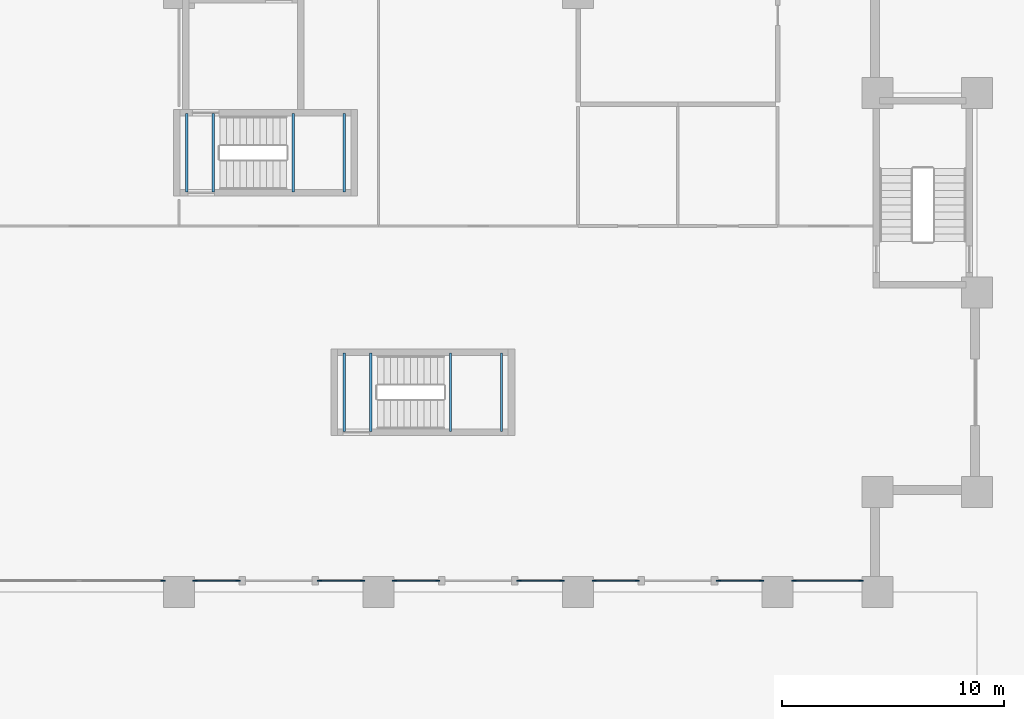
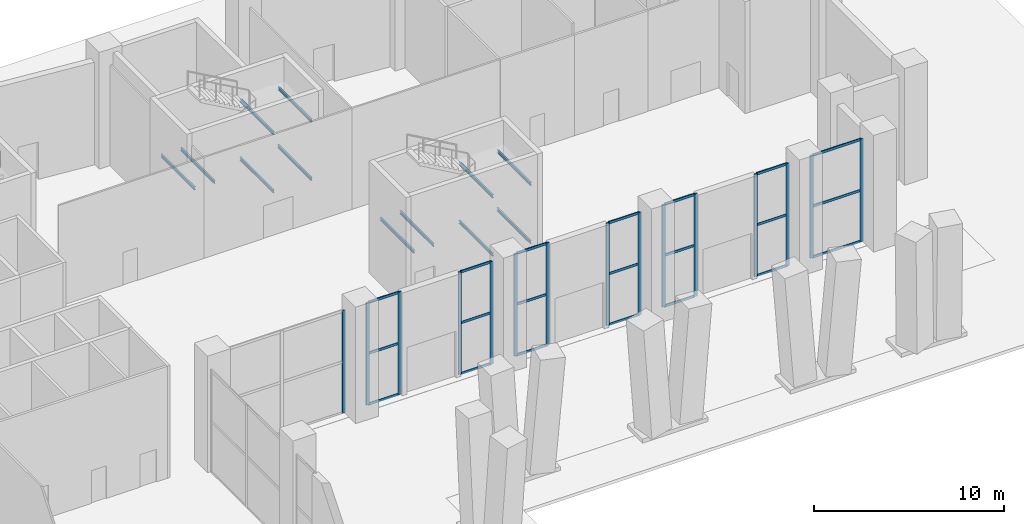
# One storey, part 4 of 16: 36 members, 12 beams, 8 elements without a shape of their own.
"""IFC4 building model written with IfcOpenShell, lengths in metres."""

from ifc_helpers import new_model, si_unit, direction, frame, origin, origin_2d, place, context, subcontext, project, spatial, rectangle, i_section, extrude, material, material_profile, profile_set, type_object, element, aggregate, save


model = new_model("IFC4")

# Units and contexts
model_context = context("Model", 3, precision=1e-05, world=origin(), true_north=direction((0.0, 1.0)))
body_context = subcontext(model_context, "Body", "Model", "MODEL_VIEW")
ifc_project = project(units=[si_unit("LENGTHUNIT", "METRE"), si_unit("AREAUNIT", "SQUARE_METRE"), si_unit("VOLUMEUNIT", "CUBIC_METRE"), si_unit("PLANEANGLEUNIT", "RADIAN"), si_unit("MASSUNIT", "GRAM", prefix="KILO")], contexts=[model_context])

# Site, building, storey
site_placement = place(None, origin())
site = spatial("IfcSite", under=ifc_project, at=site_placement, CompositionType="ELEMENT")
building_placement = place(site_placement, origin())
building = spatial("IfcBuilding", under=site, at=building_placement, Name="Brondeck Convention Tower", CompositionType="ELEMENT")
storey_placement = place(building_placement, origin())
storey = spatial("IfcBuildingStorey", under=building, at=storey_placement, Name="L00", CompositionType="ELEMENT", Elevation=0.0)

# Curtain wall, member
ifc_material_1 = material(Name="Aluminium, bronze anodised", Category="aluminium")
curtain_wall_type = type_object("IfcCurtainWallType", Name="Lobby and concourse curtain wall", PredefinedType="NOTDEFINED", material=ifc_material_1)
curtain_wall_1_placement = place(storey_placement, origin())
curtain_wall_1 = element("IfcCurtainWall", 1, at=curtain_wall_1_placement, inside=storey, type_object=curtain_wall_type, Name="ENV-CW1-L00-A-S-01", PredefinedType="NOTDEFINED")
ifc_material_profile_1 = material_profile(ifc_material_1, rectangle(XDim=0.06005859375, YDim=0.199951171875, at=origin_2d()), Name="CW1 mullion")
ifc_profile_set_1 = profile_set([ifc_material_profile_1], Name="Aluminium, bronze anodised")
member_type_1 = type_object("IfcMemberType", Name="CW1 mullion", PredefinedType="MULLION", material=ifc_profile_set_1)
member_1_placement = place(storey_placement, frame((35.27001953125, 36.5, 0.0), z_axis=(0.0, 0.0, 1.0), x_axis=(0.0, -1.0, 0.0)))
member_1 = element("IfcMember", 2, at=member_1_placement, type_object=member_type_1, Name="CW1 mullion 1", PredefinedType="MULLION", context=body_context, shape_type="SweptSolid", body=[
    extrude(rectangle(XDim=0.06005859375, YDim=0.199951171875, at=origin_2d()), origin(), (0.0, 0.0, 1.0), 6.60009765625),
])
aggregate(curtain_wall_1, [member_1])

# Curtain wall, members
curtain_wall_2_placement = place(storey_placement, origin())
curtain_wall_2 = element("IfcCurtainWall", 3, at=curtain_wall_2_placement, inside=storey, type_object=curtain_wall_type, Name="ENV-CW1-L00-A-S-03a", PredefinedType="NOTDEFINED")
member_2_placement = place(storey_placement, frame((38.669921875, 36.5, 0.0), z_axis=(0.0, 0.0, 1.0), x_axis=(0.0, -1.0, 0.0)))
member_2 = element("IfcMember", 4, at=member_2_placement, type_object=member_type_1, Name="CW1 mullion 1", PredefinedType="MULLION", context=body_context, shape_type="SweptSolid", body=[
    extrude(rectangle(XDim=0.06005859375, YDim=0.199951171875, at=origin_2d()), origin(), (0.0, 0.0, 1.0), 6.60009765625),
])
member_3_placement = place(storey_placement, frame((36.72998046875, 36.5, 0.0), z_axis=(0.0, 0.0, 1.0), x_axis=(0.0, -1.0, 0.0)))
member_3 = element("IfcMember", 5, at=member_3_placement, type_object=member_type_1, Name="CW1 mullion 2", PredefinedType="MULLION", context=body_context, shape_type="SweptSolid", body=[
    extrude(rectangle(XDim=0.06005859375, YDim=0.199951171875, at=origin_2d()), origin(), (0.0, 0.0, 1.0), 6.60009765625),
])

curtain_wall_3_placement = place(storey_placement, origin())
curtain_wall_3 = element("IfcCurtainWall", 6, at=curtain_wall_3_placement, inside=storey, type_object=curtain_wall_type, Name="ENV-CW1-L00-A-S-03b", PredefinedType="NOTDEFINED")
member_4_placement = place(storey_placement, frame((44.27001953125, 36.5, 0.0), z_axis=(0.0, 0.0, 1.0), x_axis=(0.0, -1.0, 0.0)))
member_4 = element("IfcMember", 7, at=member_4_placement, type_object=member_type_1, Name="CW1 mullion 1", PredefinedType="MULLION", context=body_context, shape_type="SweptSolid", body=[
    extrude(rectangle(XDim=0.06005859375, YDim=0.199951171875, at=origin_2d()), origin(), (0.0, 0.0, 1.0), 6.60009765625),
])
member_5_placement = place(storey_placement, frame((42.330078125, 36.5, 0.0), z_axis=(0.0, 0.0, 1.0), x_axis=(0.0, -1.0, 0.0)))
member_5 = element("IfcMember", 8, at=member_5_placement, type_object=member_type_1, Name="CW1 mullion 2", PredefinedType="MULLION", context=body_context, shape_type="SweptSolid", body=[
    extrude(rectangle(XDim=0.06005859375, YDim=0.199951171875, at=origin_2d()), origin(), (0.0, 0.0, 1.0), 6.60009765625),
])

curtain_wall_4_placement = place(storey_placement, origin())
curtain_wall_4 = element("IfcCurtainWall", 9, at=curtain_wall_4_placement, inside=storey, type_object=curtain_wall_type, Name="ENV-CW1-L00-A-S-05a", PredefinedType="NOTDEFINED")
member_6_placement = place(storey_placement, frame((47.669921875, 36.5, 0.0), z_axis=(0.0, 0.0, 1.0), x_axis=(0.0, -1.0, 0.0)))
member_6 = element("IfcMember", 10, at=member_6_placement, type_object=member_type_1, Name="CW1 mullion 1", PredefinedType="MULLION", context=body_context, shape_type="SweptSolid", body=[
    extrude(rectangle(XDim=0.06005859375, YDim=0.199951171875, at=origin_2d()), origin(), (0.0, 0.0, 1.0), 6.60009765625),
])
member_7_placement = place(storey_placement, frame((45.72998046875, 36.5, 0.0), z_axis=(0.0, 0.0, 1.0), x_axis=(0.0, -1.0, 0.0)))
member_7 = element("IfcMember", 11, at=member_7_placement, type_object=member_type_1, Name="CW1 mullion 2", PredefinedType="MULLION", context=body_context, shape_type="SweptSolid", body=[
    extrude(rectangle(XDim=0.06005859375, YDim=0.199951171875, at=origin_2d()), origin(), (0.0, 0.0, 1.0), 6.60009765625),
])

curtain_wall_5_placement = place(storey_placement, origin())
curtain_wall_5 = element("IfcCurtainWall", 12, at=curtain_wall_5_placement, inside=storey, type_object=curtain_wall_type, Name="ENV-CW1-L00-A-S-05b", PredefinedType="NOTDEFINED")
member_8_placement = place(storey_placement, frame((53.27001953125, 36.5, 0.0), z_axis=(0.0, 0.0, 1.0), x_axis=(0.0, -1.0, 0.0)))
member_8 = element("IfcMember", 13, at=member_8_placement, type_object=member_type_1, Name="CW1 mullion 1", PredefinedType="MULLION", context=body_context, shape_type="SweptSolid", body=[
    extrude(rectangle(XDim=0.06005859375, YDim=0.199951171875, at=origin_2d()), origin(), (0.0, 0.0, 1.0), 6.60009765625),
])
member_9_placement = place(storey_placement, frame((51.330078125, 36.5, 0.0), z_axis=(0.0, 0.0, 1.0), x_axis=(0.0, -1.0, 0.0)))
member_9 = element("IfcMember", 14, at=member_9_placement, type_object=member_type_1, Name="CW1 mullion 2", PredefinedType="MULLION", context=body_context, shape_type="SweptSolid", body=[
    extrude(rectangle(XDim=0.06005859375, YDim=0.199951171875, at=origin_2d()), origin(), (0.0, 0.0, 1.0), 6.60009765625),
])

curtain_wall_6_placement = place(storey_placement, origin())
curtain_wall_6 = element("IfcCurtainWall", 15, at=curtain_wall_6_placement, inside=storey, type_object=curtain_wall_type, Name="ENV-CW1-L00-A-S-07a", PredefinedType="NOTDEFINED")
member_10_placement = place(storey_placement, frame((56.669921875, 36.5, 0.0), z_axis=(0.0, 0.0, 1.0), x_axis=(0.0, -1.0, 0.0)))
member_10 = element("IfcMember", 16, at=member_10_placement, type_object=member_type_1, Name="CW1 mullion 1", PredefinedType="MULLION", context=body_context, shape_type="SweptSolid", body=[
    extrude(rectangle(XDim=0.06005859375, YDim=0.199951171875, at=origin_2d()), origin(), (0.0, 0.0, 1.0), 6.60009765625),
])
member_11_placement = place(storey_placement, frame((54.72998046875, 36.5, 0.0), z_axis=(0.0, 0.0, 1.0), x_axis=(0.0, -1.0, 0.0)))
member_11 = element("IfcMember", 17, at=member_11_placement, type_object=member_type_1, Name="CW1 mullion 2", PredefinedType="MULLION", context=body_context, shape_type="SweptSolid", body=[
    extrude(rectangle(XDim=0.06005859375, YDim=0.199951171875, at=origin_2d()), origin(), (0.0, 0.0, 1.0), 6.60009765625),
])

curtain_wall_7_placement = place(storey_placement, origin())
curtain_wall_7 = element("IfcCurtainWall", 18, at=curtain_wall_7_placement, inside=storey, type_object=curtain_wall_type, Name="ENV-CW1-L00-A-S-07b", PredefinedType="NOTDEFINED")
member_12_placement = place(storey_placement, frame((62.27001953125, 36.5, 0.0), z_axis=(0.0, 0.0, 1.0), x_axis=(0.0, -1.0, 0.0)))
member_12 = element("IfcMember", 19, at=member_12_placement, type_object=member_type_1, Name="CW1 mullion 1", PredefinedType="MULLION", context=body_context, shape_type="SweptSolid", body=[
    extrude(rectangle(XDim=0.06005859375, YDim=0.199951171875, at=origin_2d()), origin(), (0.0, 0.0, 1.0), 6.60009765625),
])
member_13_placement = place(storey_placement, frame((60.330078125, 36.5, 0.0), z_axis=(0.0, 0.0, 1.0), x_axis=(0.0, -1.0, 0.0)))
member_13 = element("IfcMember", 20, at=member_13_placement, type_object=member_type_1, Name="CW1 mullion 2", PredefinedType="MULLION", context=body_context, shape_type="SweptSolid", body=[
    extrude(rectangle(XDim=0.06005859375, YDim=0.199951171875, at=origin_2d()), origin(), (0.0, 0.0, 1.0), 6.60009765625),
])

curtain_wall_8_placement = place(storey_placement, origin())
curtain_wall_8 = element("IfcCurtainWall", 21, at=curtain_wall_8_placement, inside=storey, type_object=curtain_wall_type, Name="ENV-CW1-L00-A-S-08", PredefinedType="NOTDEFINED")
member_14_placement = place(storey_placement, frame((66.77001953125, 36.5, 0.0), z_axis=(0.0, 0.0, 1.0), x_axis=(0.0, -1.0, 0.0)))
member_14 = element("IfcMember", 22, at=member_14_placement, type_object=member_type_1, Name="CW1 mullion 1", PredefinedType="MULLION", context=body_context, shape_type="SweptSolid", body=[
    extrude(rectangle(XDim=0.06005859375, YDim=0.199951171875, at=origin_2d()), origin(), (0.0, 0.0, 1.0), 6.60009765625),
])
member_15_placement = place(storey_placement, frame((63.72998046875, 36.5, 0.0), z_axis=(0.0, 0.0, 1.0), x_axis=(0.0, -1.0, 0.0)))
member_15 = element("IfcMember", 23, at=member_15_placement, type_object=member_type_1, Name="CW1 mullion 2", PredefinedType="MULLION", context=body_context, shape_type="SweptSolid", body=[
    extrude(rectangle(XDim=0.06005859375, YDim=0.199951171875, at=origin_2d()), origin(), (0.0, 0.0, 1.0), 6.60009765625),
])

# Member
ifc_material_profile_2 = material_profile(ifc_material_1, rectangle(XDim=0.06005859375, YDim=0.159912109375, at=origin_2d()), Name="CW1 transom")
ifc_profile_set_2 = profile_set([ifc_material_profile_2], Name="Aluminium, bronze anodised")
member_type_2 = type_object("IfcMemberType", Name="CW1 transom", PredefinedType="USERDEFINED", material=ifc_profile_set_2)
member_16_placement = place(storey_placement, frame((38.639892578125, 36.5, 0.030029296875), z_axis=(-1.0, 0.0, 0.0), x_axis=(0.0, -1.0, 0.0)))
member_16 = element("IfcMember", 24, at=member_16_placement, type_object=member_type_2, Name="CW1 transom 1.1", ObjectType="TRANSOM", PredefinedType="USERDEFINED", context=body_context, shape_type="SweptSolid", body=[
    extrude(rectangle(XDim=0.06005859375, YDim=0.159912109375, at=origin_2d()), origin(), (0.0, 0.0, 1.0), 1.8798828125),
])

member_17_placement = place(storey_placement, frame((38.639892578125, 36.5, 3.300048828125), z_axis=(-1.0, 0.0, 0.0), x_axis=(0.0, -1.0, 0.0)))
member_17 = element("IfcMember", 25, at=member_17_placement, type_object=member_type_2, Name="CW1 transom 1.2", ObjectType="TRANSOM", PredefinedType="USERDEFINED", context=body_context, shape_type="SweptSolid", body=[
    extrude(rectangle(XDim=0.06005859375, YDim=0.159912109375, at=origin_2d()), origin(), (0.0, 0.0, 1.0), 1.8798828125),
])

member_18_placement = place(storey_placement, frame((38.639892578125, 36.5, 6.570068359375), z_axis=(-1.0, 0.0, 0.0), x_axis=(0.0, -1.0, 0.0)))
member_18 = element("IfcMember", 26, at=member_18_placement, type_object=member_type_2, Name="CW1 transom 1.3", ObjectType="TRANSOM", PredefinedType="USERDEFINED", context=body_context, shape_type="SweptSolid", body=[
    extrude(rectangle(XDim=0.06005859375, YDim=0.159912109375, at=origin_2d()), origin(), (0.0, 0.0, 1.0), 1.8798828125),
])

aggregate(curtain_wall_2, [member_2, member_3, member_16, member_17, member_18])

member_19_placement = place(storey_placement, frame((44.239990234375, 36.5, 0.030029296875), z_axis=(-1.0, 0.0, 0.0), x_axis=(0.0, -1.0, 0.0)))
member_19 = element("IfcMember", 27, at=member_19_placement, type_object=member_type_2, Name="CW1 transom 1.1", ObjectType="TRANSOM", PredefinedType="USERDEFINED", context=body_context, shape_type="SweptSolid", body=[
    extrude(rectangle(XDim=0.06005859375, YDim=0.159912109375, at=origin_2d()), origin(), (0.0, 0.0, 1.0), 1.8798828125),
])

member_20_placement = place(storey_placement, frame((44.239990234375, 36.5, 3.300048828125), z_axis=(-1.0, 0.0, 0.0), x_axis=(0.0, -1.0, 0.0)))
member_20 = element("IfcMember", 28, at=member_20_placement, type_object=member_type_2, Name="CW1 transom 1.2", ObjectType="TRANSOM", PredefinedType="USERDEFINED", context=body_context, shape_type="SweptSolid", body=[
    extrude(rectangle(XDim=0.06005859375, YDim=0.159912109375, at=origin_2d()), origin(), (0.0, 0.0, 1.0), 1.8798828125),
])

member_21_placement = place(storey_placement, frame((44.239990234375, 36.5, 6.570068359375), z_axis=(-1.0, 0.0, 0.0), x_axis=(0.0, -1.0, 0.0)))
member_21 = element("IfcMember", 29, at=member_21_placement, type_object=member_type_2, Name="CW1 transom 1.3", ObjectType="TRANSOM", PredefinedType="USERDEFINED", context=body_context, shape_type="SweptSolid", body=[
    extrude(rectangle(XDim=0.06005859375, YDim=0.159912109375, at=origin_2d()), origin(), (0.0, 0.0, 1.0), 1.8798828125),
])

aggregate(curtain_wall_3, [member_4, member_5, member_19, member_20, member_21])

member_22_placement = place(storey_placement, frame((47.639892578125, 36.5, 0.030029296875), z_axis=(-1.0, 0.0, 0.0), x_axis=(0.0, -1.0, 0.0)))
member_22 = element("IfcMember", 30, at=member_22_placement, type_object=member_type_2, Name="CW1 transom 1.1", ObjectType="TRANSOM", PredefinedType="USERDEFINED", context=body_context, shape_type="SweptSolid", body=[
    extrude(rectangle(XDim=0.06005859375, YDim=0.159912109375, at=origin_2d()), origin(), (0.0, 0.0, 1.0), 1.8798828125),
])

member_23_placement = place(storey_placement, frame((47.639892578125, 36.5, 3.300048828125), z_axis=(-1.0, 0.0, 0.0), x_axis=(0.0, -1.0, 0.0)))
member_23 = element("IfcMember", 31, at=member_23_placement, type_object=member_type_2, Name="CW1 transom 1.2", ObjectType="TRANSOM", PredefinedType="USERDEFINED", context=body_context, shape_type="SweptSolid", body=[
    extrude(rectangle(XDim=0.06005859375, YDim=0.159912109375, at=origin_2d()), origin(), (0.0, 0.0, 1.0), 1.8798828125),
])

member_24_placement = place(storey_placement, frame((47.639892578125, 36.5, 6.570068359375), z_axis=(-1.0, 0.0, 0.0), x_axis=(0.0, -1.0, 0.0)))
member_24 = element("IfcMember", 32, at=member_24_placement, type_object=member_type_2, Name="CW1 transom 1.3", ObjectType="TRANSOM", PredefinedType="USERDEFINED", context=body_context, shape_type="SweptSolid", body=[
    extrude(rectangle(XDim=0.06005859375, YDim=0.159912109375, at=origin_2d()), origin(), (0.0, 0.0, 1.0), 1.8798828125),
])

aggregate(curtain_wall_4, [member_6, member_7, member_22, member_23, member_24])

member_25_placement = place(storey_placement, frame((53.239990234375, 36.5, 0.030029296875), z_axis=(-1.0, 0.0, 0.0), x_axis=(0.0, -1.0, 0.0)))
member_25 = element("IfcMember", 33, at=member_25_placement, type_object=member_type_2, Name="CW1 transom 1.1", ObjectType="TRANSOM", PredefinedType="USERDEFINED", context=body_context, shape_type="SweptSolid", body=[
    extrude(rectangle(XDim=0.06005859375, YDim=0.159912109375, at=origin_2d()), origin(), (0.0, 0.0, 1.0), 1.8798828125),
])

member_26_placement = place(storey_placement, frame((53.239990234375, 36.5, 3.300048828125), z_axis=(-1.0, 0.0, 0.0), x_axis=(0.0, -1.0, 0.0)))
member_26 = element("IfcMember", 34, at=member_26_placement, type_object=member_type_2, Name="CW1 transom 1.2", ObjectType="TRANSOM", PredefinedType="USERDEFINED", context=body_context, shape_type="SweptSolid", body=[
    extrude(rectangle(XDim=0.06005859375, YDim=0.159912109375, at=origin_2d()), origin(), (0.0, 0.0, 1.0), 1.8798828125),
])

member_27_placement = place(storey_placement, frame((53.239990234375, 36.5, 6.570068359375), z_axis=(-1.0, 0.0, 0.0), x_axis=(0.0, -1.0, 0.0)))
member_27 = element("IfcMember", 35, at=member_27_placement, type_object=member_type_2, Name="CW1 transom 1.3", ObjectType="TRANSOM", PredefinedType="USERDEFINED", context=body_context, shape_type="SweptSolid", body=[
    extrude(rectangle(XDim=0.06005859375, YDim=0.159912109375, at=origin_2d()), origin(), (0.0, 0.0, 1.0), 1.8798828125),
])

aggregate(curtain_wall_5, [member_8, member_9, member_25, member_26, member_27])

member_28_placement = place(storey_placement, frame((56.639892578125, 36.5, 0.030029296875), z_axis=(-1.0, 0.0, 0.0), x_axis=(0.0, -1.0, 0.0)))
member_28 = element("IfcMember", 36, at=member_28_placement, type_object=member_type_2, Name="CW1 transom 1.1", ObjectType="TRANSOM", PredefinedType="USERDEFINED", context=body_context, shape_type="SweptSolid", body=[
    extrude(rectangle(XDim=0.06005859375, YDim=0.159912109375, at=origin_2d()), origin(), (0.0, 0.0, 1.0), 1.8798828125),
])

member_29_placement = place(storey_placement, frame((56.639892578125, 36.5, 3.300048828125), z_axis=(-1.0, 0.0, 0.0), x_axis=(0.0, -1.0, 0.0)))
member_29 = element("IfcMember", 37, at=member_29_placement, type_object=member_type_2, Name="CW1 transom 1.2", ObjectType="TRANSOM", PredefinedType="USERDEFINED", context=body_context, shape_type="SweptSolid", body=[
    extrude(rectangle(XDim=0.06005859375, YDim=0.159912109375, at=origin_2d()), origin(), (0.0, 0.0, 1.0), 1.8798828125),
])

member_30_placement = place(storey_placement, frame((56.639892578125, 36.5, 6.570068359375), z_axis=(-1.0, 0.0, 0.0), x_axis=(0.0, -1.0, 0.0)))
member_30 = element("IfcMember", 38, at=member_30_placement, type_object=member_type_2, Name="CW1 transom 1.3", ObjectType="TRANSOM", PredefinedType="USERDEFINED", context=body_context, shape_type="SweptSolid", body=[
    extrude(rectangle(XDim=0.06005859375, YDim=0.159912109375, at=origin_2d()), origin(), (0.0, 0.0, 1.0), 1.8798828125),
])

aggregate(curtain_wall_6, [member_10, member_11, member_28, member_29, member_30])

member_31_placement = place(storey_placement, frame((62.239990234375, 36.5, 0.030029296875), z_axis=(-1.0, 0.0, 0.0), x_axis=(0.0, -1.0, 0.0)))
member_31 = element("IfcMember", 39, at=member_31_placement, type_object=member_type_2, Name="CW1 transom 1.1", ObjectType="TRANSOM", PredefinedType="USERDEFINED", context=body_context, shape_type="SweptSolid", body=[
    extrude(rectangle(XDim=0.06005859375, YDim=0.159912109375, at=origin_2d()), origin(), (0.0, 0.0, 1.0), 1.8798828125),
])

member_32_placement = place(storey_placement, frame((62.239990234375, 36.5, 3.300048828125), z_axis=(-1.0, 0.0, 0.0), x_axis=(0.0, -1.0, 0.0)))
member_32 = element("IfcMember", 40, at=member_32_placement, type_object=member_type_2, Name="CW1 transom 1.2", ObjectType="TRANSOM", PredefinedType="USERDEFINED", context=body_context, shape_type="SweptSolid", body=[
    extrude(rectangle(XDim=0.06005859375, YDim=0.159912109375, at=origin_2d()), origin(), (0.0, 0.0, 1.0), 1.8798828125),
])

member_33_placement = place(storey_placement, frame((62.239990234375, 36.5, 6.570068359375), z_axis=(-1.0, 0.0, 0.0), x_axis=(0.0, -1.0, 0.0)))
member_33 = element("IfcMember", 41, at=member_33_placement, type_object=member_type_2, Name="CW1 transom 1.3", ObjectType="TRANSOM", PredefinedType="USERDEFINED", context=body_context, shape_type="SweptSolid", body=[
    extrude(rectangle(XDim=0.06005859375, YDim=0.159912109375, at=origin_2d()), origin(), (0.0, 0.0, 1.0), 1.8798828125),
])

aggregate(curtain_wall_7, [member_12, member_13, member_31, member_32, member_33])

member_34_placement = place(storey_placement, frame((66.739990234375, 36.5, 0.030029296875), z_axis=(-1.0, 0.0, 0.0), x_axis=(0.0, -1.0, 0.0)))
member_34 = element("IfcMember", 42, at=member_34_placement, type_object=member_type_2, Name="CW1 transom 1.1", ObjectType="TRANSOM", PredefinedType="USERDEFINED", context=body_context, shape_type="SweptSolid", body=[
    extrude(rectangle(XDim=0.06005859375, YDim=0.159912109375, at=origin_2d()), origin(), (0.0, 0.0, 1.0), 2.97998046875),
])

member_35_placement = place(storey_placement, frame((66.739990234375, 36.5, 3.300048828125), z_axis=(-1.0, 0.0, 0.0), x_axis=(0.0, -1.0, 0.0)))
member_35 = element("IfcMember", 43, at=member_35_placement, type_object=member_type_2, Name="CW1 transom 1.2", ObjectType="TRANSOM", PredefinedType="USERDEFINED", context=body_context, shape_type="SweptSolid", body=[
    extrude(rectangle(XDim=0.06005859375, YDim=0.159912109375, at=origin_2d()), origin(), (0.0, 0.0, 1.0), 2.97998046875),
])

member_36_placement = place(storey_placement, frame((66.739990234375, 36.5, 6.570068359375), z_axis=(-1.0, 0.0, 0.0), x_axis=(0.0, -1.0, 0.0)))
member_36 = element("IfcMember", 44, at=member_36_placement, type_object=member_type_2, Name="CW1 transom 1.3", ObjectType="TRANSOM", PredefinedType="USERDEFINED", context=body_context, shape_type="SweptSolid", body=[
    extrude(rectangle(XDim=0.06005859375, YDim=0.159912109375, at=origin_2d()), origin(), (0.0, 0.0, 1.0), 2.97998046875),
])

aggregate(curtain_wall_8, [member_14, member_15, member_34, member_35, member_36])

# Beams
ifc_material_2 = material(Name="Steel S355", Category="steel")
ifc_material_profile_3 = material_profile(ifc_material_2, i_section(OverallWidth=0.10009765625, OverallDepth=0.199951171875, WebThickness=0.005615234375, FlangeThickness=0.008544921875, FilletRadius=0.011962890625, at=origin_2d()), Name="IPE200")
ifc_profile_set_3 = profile_set([ifc_material_profile_3], Name="Steel S355")
beam_type = type_object("IfcBeamType", Name="Landing ledger beam IPE 200", PredefinedType="BEAM", material=ifc_profile_set_3)
for number, where, z_axis, x_axis, name in (
    (45, (41.14990234375, 54.030029296875, 1.52490234375), (0.0, 1.0, 0.0), (-1.0, 0.0, 0.0), "L00 ST-AE landing beam"),
    (46, (43.449951171875, 54.030029296875, 1.52490234375), (0.0, 1.0, 0.0), (-1.0, 0.0, 0.0), "L00 ST-AE landing beam"),
    (47, (36.35009765625, 54.030029296875, 3.39990234375), (0.0, 1.0, 0.0), (-1.0, 0.0, 0.0), "L00 ST-AE landing beam"),
    (48, (37.550048828125, 54.030029296875, 3.39990234375), (0.0, 1.0, 0.0), (-1.0, 0.0, 0.0), "L00 ST-AE landing beam"),
    (49, (41.14990234375, 54.030029296875, 5.27490234375), (0.0, 1.0, 0.0), (-1.0, 0.0, 0.0), "L00 ST-AE landing beam"),
    (50, (43.449951171875, 54.030029296875, 5.27490234375), (0.0, 1.0, 0.0), (-1.0, 0.0, 0.0), "L00 ST-AE landing beam"),
    (51, (48.25, 43.22998046875, 1.52490234375), (0.0, 1.0, 0.0), (-1.0, 0.0, 0.0), "L00 ST-AF landing beam"),
    (52, (50.550048828125, 43.22998046875, 1.52490234375), (0.0, 1.0, 0.0), (-1.0, 0.0, 0.0), "L00 ST-AF landing beam"),
    (53, (43.449951171875, 43.22998046875, 3.39990234375), (0.0, 1.0, 0.0), (-1.0, 0.0, 0.0), "L00 ST-AF landing beam"),
    (54, (44.64990234375, 43.22998046875, 3.39990234375), (0.0, 1.0, 0.0), (-1.0, 0.0, 0.0), "L00 ST-AF landing beam"),
    (55, (48.25, 43.22998046875, 5.27490234375), (0.0, 1.0, 0.0), (-1.0, 0.0, 0.0), "L00 ST-AF landing beam"),
    (56, (50.550048828125, 43.22998046875, 5.27490234375), (0.0, 1.0, 0.0), (-1.0, 0.0, 0.0), "L00 ST-AF landing beam"),
):
    element("IfcBeam", number, at=place(storey_placement, frame(where, z_axis=z_axis, x_axis=x_axis)), inside=storey, type_object=beam_type, Name=name, PredefinedType="BEAM", context=body_context, shape_type="SweptSolid", body=[
        extrude(i_section(OverallWidth=0.10009765625, OverallDepth=0.199951171875, WebThickness=0.005615234375, FlangeThickness=0.008544921875, FilletRadius=0.011962890625, at=origin_2d()), origin(), (0.0, 0.0, 1.0), 3.5400390625),
    ])

save(model, "model.ifc")
